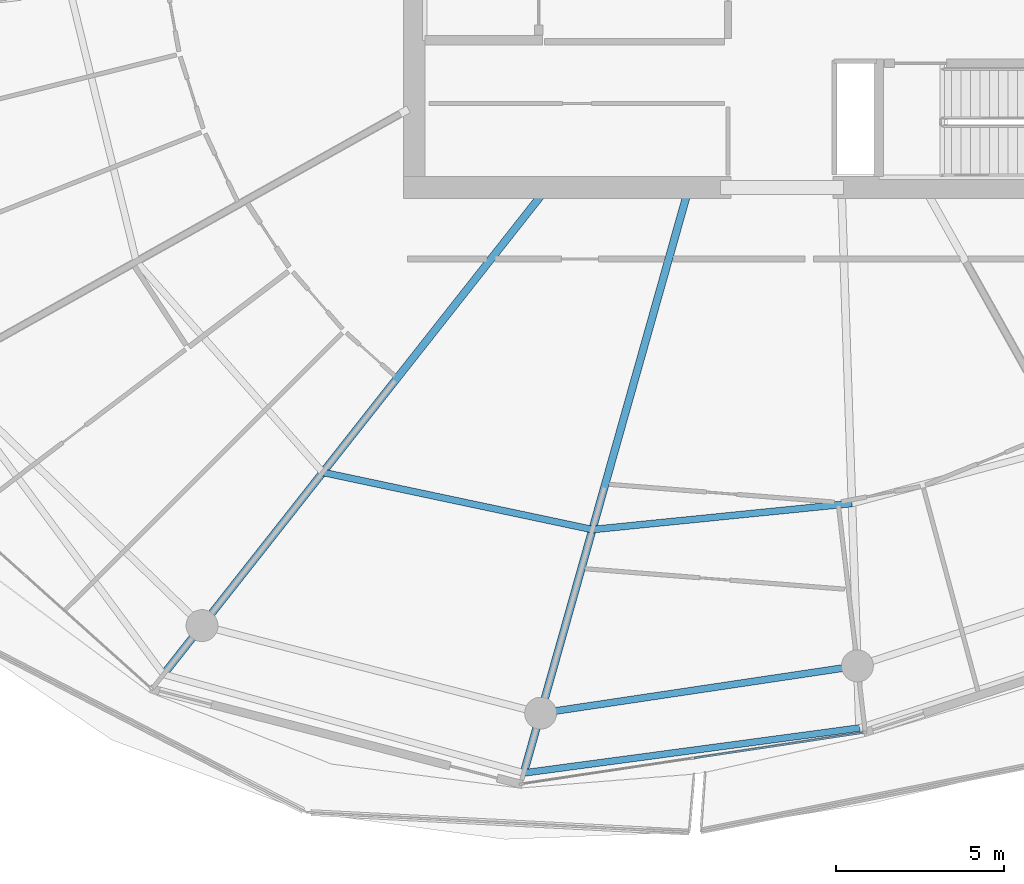
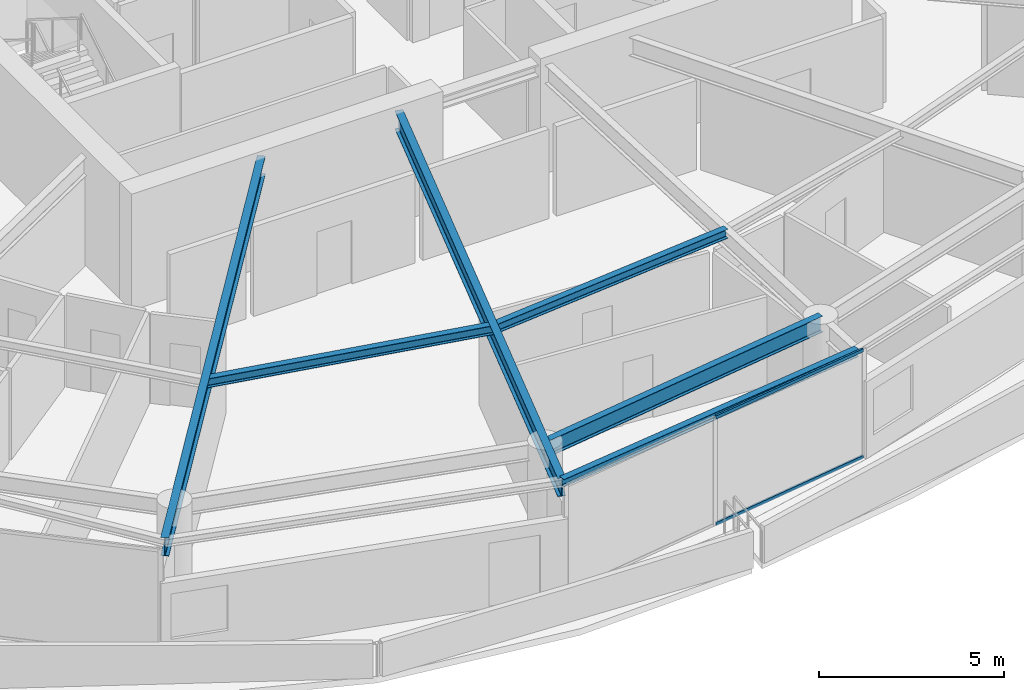
# One storey, part 6 of 30: 6 beams, 2 members, 1 element without a shape of its own.
"""IFC4 building model written with IfcOpenShell, lengths in metres."""

from ifc_helpers import new_model, si_unit, direction, frame, origin, origin_2d, place, context, subcontext, project, spatial, rectangle, i_section, extrude, material, layer, layer_set, material_profile, profile_set, type_object, element, aggregate, save


model = new_model("IFC4")

# Units and contexts
model_context = context("Model", 3, precision=1e-05, world=origin(), true_north=direction((0.0, 1.0)))
body_context = subcontext(model_context, "Body", "Model", "MODEL_VIEW")
ifc_project = project(units=[si_unit("LENGTHUNIT", "METRE"), si_unit("AREAUNIT", "SQUARE_METRE"), si_unit("VOLUMEUNIT", "CUBIC_METRE"), si_unit("PLANEANGLEUNIT", "RADIAN"), si_unit("MASSUNIT", "GRAM", prefix="KILO")], contexts=[model_context])

# Site, building, storey
site_placement = place(None, origin())
site = spatial("IfcSite", under=ifc_project, at=site_placement, CompositionType="ELEMENT")
building_placement = place(site_placement, origin())
building = spatial("IfcBuilding", under=site, at=building_placement, Name="Kazma Halo Residences", CompositionType="ELEMENT")
storey_placement = place(building_placement, frame((0.0, 0.0, 255.949951171875)))
storey = spatial("IfcBuildingStorey", under=building, at=storey_placement, Name="L64", CompositionType="ELEMENT", Elevation=255.949951171875)

# Beams
ifc_material_1 = material(Name="Steel S355", Category="steel")
ifc_material_profile_1 = material_profile(ifc_material_1, i_section(OverallWidth=0.201904296875, OverallDepth=0.2470703125, WebThickness=0.00732421875, FlangeThickness=0.010986328125, FilletRadius=0.011962890625, at=origin_2d()), Name="W250x49.1")
ifc_profile_set_1 = profile_set([ifc_material_profile_1], Name="Steel S355")
beam_type_1 = type_object("IfcBeamType", Name="BM-BAL-CANT", PredefinedType="BEAM", material=ifc_profile_set_1)
beam_1_placement = place(storey_placement, frame((40.73486328125, 16.239990234375, 3.466552734375), z_axis=(0.991137416918, 0.132840584106, 0.0), x_axis=(-0.132840584106, 0.991137416918, 0.0)))
element("IfcBeam", 1, at=beam_1_placement, inside=storey, type_object=beam_type_1, Name="L64 wave-balcony tie beam 11", PredefinedType="BEAM", context=body_context, shape_type="SweptSolid", body=[
    extrude(i_section(OverallWidth=0.201904296875, OverallDepth=0.2470703125, WebThickness=0.00732421875, FlangeThickness=0.010986328125, FilletRadius=0.011962890625, at=origin_2d()), origin(), (0.0, 0.0, 1.0), 10.087890625),
])
ifc_material_profile_2 = material_profile(ifc_material_1, i_section(OverallWidth=0.22802734375, OverallDepth=0.60791015625, WebThickness=0.01123046875, FlangeThickness=0.017333984375, FilletRadius=0.01806640625, at=origin_2d()), Name="W610x113")
ifc_profile_set_2 = profile_set([ifc_material_profile_2], Name="Steel S355")
beam_type_2 = type_object("IfcBeamType", Name="BM-RAD-W610", PredefinedType="BEAM", material=ifc_profile_set_2)
beam_2_placement = place(storey_placement, frame((41.299072265625, 33.5, 3.2861328125), z_axis=(-0.6190864347, -0.785322854863, 0.0), x_axis=(0.785322854863, -0.6190864347, 0.0)))
element("IfcBeam", 2, at=beam_2_placement, inside=storey, type_object=beam_type_2, Name="L64 radial floor beam 10", PredefinedType="BEAM", context=body_context, shape_type="SweptSolid", body=[
    extrude(i_section(OverallWidth=0.22802734375, OverallDepth=0.60791015625, WebThickness=0.01123046875, FlangeThickness=0.017333984375, FilletRadius=0.01806640625, at=origin_2d()), origin(), (0.0, 0.0, 1.0), 18.239013671875),
])
beam_3_placement = place(storey_placement, frame((45.602783203125, 33.5, 3.2861328125), z_axis=(-0.271445290974, -0.962453871107, 0.0), x_axis=(0.962453871107, -0.271445290974, 0.0)))
element("IfcBeam", 3, at=beam_3_placement, inside=storey, type_object=beam_type_2, Name="L64 radial floor beam 11", PredefinedType="BEAM", context=body_context, shape_type="SweptSolid", body=[
    extrude(i_section(OverallWidth=0.22802734375, OverallDepth=0.60791015625, WebThickness=0.01123046875, FlangeThickness=0.017333984375, FilletRadius=0.01806640625, at=origin_2d()), origin(), (0.0, 0.0, 1.0), 17.933349609375),
])
ifc_material_profile_3 = material_profile(ifc_material_1, i_section(OverallWidth=0.202880859375, OverallDepth=0.302978515625, WebThickness=0.007568359375, FlangeThickness=0.01318359375, FilletRadius=0.013916015625, at=origin_2d()), Name="W310x60")
ifc_profile_set_3 = profile_set([ifc_material_profile_3], Name="Steel S355")
beam_type_3 = type_object("IfcBeamType", Name="BM-SEC-W310A", PredefinedType="JOIST", material=ifc_profile_set_3)
beam_4_placement = place(storey_placement, frame((34.75, 25.1923828125, 3.4384765625), z_axis=(0.978235588777, -0.207497308055, 0.0), x_axis=(0.207497308055, 0.978235588777, 0.0)))
element("IfcBeam", 4, at=beam_4_placement, inside=storey, type_object=beam_type_3, Name="L64 circumferential floor joist 10", PredefinedType="JOIST", context=body_context, shape_type="SweptSolid", body=[
    extrude(i_section(OverallWidth=0.202880859375, OverallDepth=0.302978515625, WebThickness=0.007568359375, FlangeThickness=0.01318359375, FilletRadius=0.013916015625, at=origin_2d()), origin(), (0.0, 0.0, 1.0), 8.2080078125),
])
beam_5_placement = place(storey_placement, frame((42.779296875, 23.4892578125, 3.4384765625), z_axis=(0.994981653225, 0.10005753218, 0.0), x_axis=(-0.10005753218, 0.994981653225, 0.0)))
element("IfcBeam", 5, at=beam_5_placement, inside=storey, type_object=beam_type_3, Name="L64 circumferential floor joist 11", PredefinedType="JOIST", context=body_context, shape_type="SweptSolid", body=[
    extrude(i_section(OverallWidth=0.202880859375, OverallDepth=0.302978515625, WebThickness=0.007568359375, FlangeThickness=0.01318359375, FilletRadius=0.013916015625, at=origin_2d()), origin(), (0.0, 0.0, 1.0), 7.76904296875),
])
ifc_material_profile_4 = material_profile(ifc_material_1, i_section(OverallWidth=0.208984375, OverallDepth=0.532958984375, WebThickness=0.01025390625, FlangeThickness=0.015625, FilletRadius=0.01611328125, at=origin_2d()), Name="W530x92")
ifc_profile_set_4 = profile_set([ifc_material_profile_4], Name="Steel S355")
beam_type_4 = type_object("IfcBeamType", Name="BM-SPN-W530", PredefinedType="BEAM", material=ifc_profile_set_4)
beam_6_placement = place(storey_placement, frame((41.237060546875, 18.0205078125, 3.323486328125), z_axis=(0.989035441627, 0.147678350495, 0.0), x_axis=(-0.147678350495, 0.989035441627, 0.0)))
element("IfcBeam", 6, at=beam_6_placement, inside=storey, type_object=beam_type_4, Name="L64 perimeter ring beam 11", PredefinedType="BEAM", context=body_context, shape_type="SweptSolid", body=[
    extrude(i_section(OverallWidth=0.208984375, OverallDepth=0.532958984375, WebThickness=0.01025390625, FlangeThickness=0.015625, FilletRadius=0.01611328125, at=origin_2d()), origin(), (0.0, 0.0, 1.0), 9.538818359375),
])

# Curtain wall, members
ifc_material_2 = material(Name="Aluminium AW-6063 T6 and Triple-Silver Low-E Glass", Category="aluminium")
ifc_layer = layer(ifc_material_2, 0.139892578125)
ifc_layer_set = layer_set([ifc_layer], Name="Aluminium AW-6063 T6 and Triple-Silver Low-E Glass")
curtain_wall_type = type_object("IfcCurtainWallType", Name="CW-SYS-5", PredefinedType="NOTDEFINED", material=ifc_layer_set)
curtain_wall_placement = place(storey_placement, origin())
curtain_wall = element("IfcCurtainWall", 7, at=curtain_wall_placement, inside=storey, type_object=curtain_wall_type, Name="L64 unitised curtain wall B11", PredefinedType="NOTDEFINED")
ifc_material_3 = material(Name="Aluminium AW-6063 T6", Category="aluminium")
ifc_material_profile_5 = material_profile(ifc_material_3, rectangle(XDim=0.06005859375, YDim=0.10498046875, at=origin_2d()), Name="CWT-60x105")
ifc_profile_set_5 = profile_set([ifc_material_profile_5], Name="Aluminium AW-6063 T6")
member_type = type_object("IfcMemberType", Name="CW-SYS-5-TRN", PredefinedType="USERDEFINED", material=ifc_profile_set_5)
member_1_placement = place(storey_placement, frame((45.80322265625, 16.6845703125, 0.030029296875), z_axis=(0.988882913569, 0.148696278541, 0.0), x_axis=(-0.148696278541, 0.988882913569, 0.0)))
member_1 = element("IfcMember", 8, at=member_1_placement, type_object=member_type, Name="CWS-5 transom 2.1", ObjectType="TRANSOM", PredefinedType="USERDEFINED", context=body_context, shape_type="SweptSolid", body=[
    extrude(rectangle(XDim=0.06005859375, YDim=0.10498046875, at=origin_2d()), origin(), (0.0, 0.0, 1.0), 5.099609375),
])
member_2_placement = place(storey_placement, frame((45.80322265625, 16.6845703125, 3.56005859375), z_axis=(0.988882913569, 0.148696278541, 0.0), x_axis=(-0.148696278541, 0.988882913569, 0.0)))
member_2 = element("IfcMember", 9, at=member_2_placement, type_object=member_type, Name="CWS-5 transom 2.2", ObjectType="TRANSOM", PredefinedType="USERDEFINED", context=body_context, shape_type="SweptSolid", body=[
    extrude(rectangle(XDim=0.06005859375, YDim=0.10498046875, at=origin_2d()), origin(), (0.0, 0.0, 1.0), 5.099609375),
])
aggregate(curtain_wall, [member_1, member_2])

save(model, "model.ifc")
